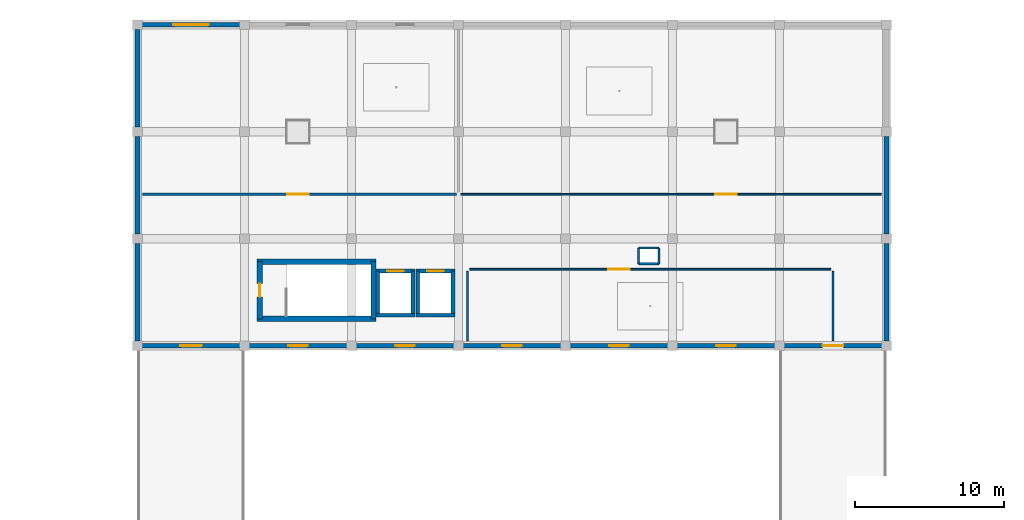
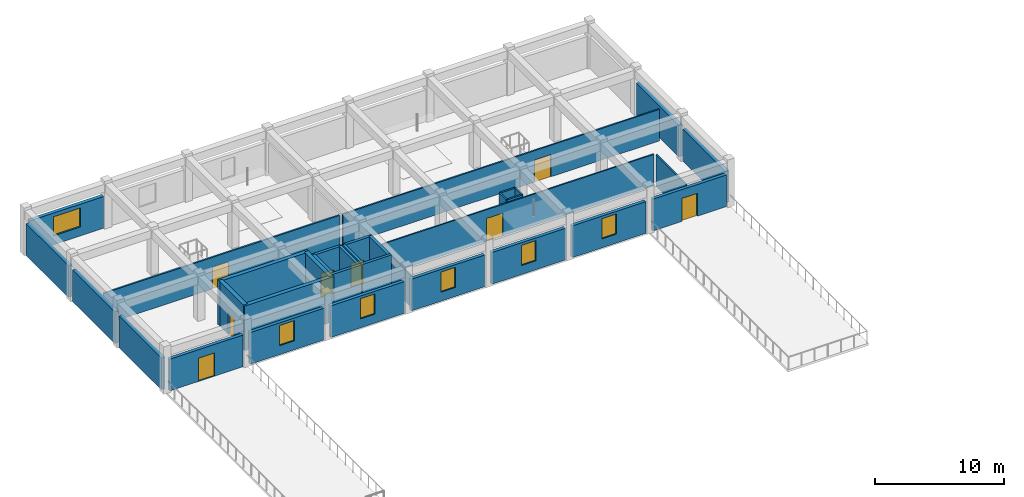
# One storey, part 37 of 56: 34 walls, 8 doors, 6 windows, 14 openings.
"""IFC4 building model written with IfcOpenShell, lengths in metres."""

import ifcopenshell
import ifcopenshell.guid

model = None  # the IFC model being written
_history = None  # IfcOwnerHistory: only IFC2X3 demands one
_inside = {}  # id of a spatial element -> (the spatial element, [elements in it])
_under = {}  # id of a project, library or spatial element -> (it, [spatial elements below it])
_declared = {}  # id of a project -> (the project, [libraries it declares])
_typed = {}  # id of a type object -> (the type object, [elements of that type])
_made_of = {}  # id of a material, layer set ... -> (it, [elements and type objects made of it])


def new_model(schema):
    """Start an empty IFC model of exactly this schema.

    Asked for "IFC4X3", IfcOpenShell would pick the latest addendum, in which some entities
    have other attributes; the version numbers below select the first issue.
    IFC2X3 requires an IfcOwnerHistory on every rooted entity: one is made here for all.
    """
    global model, _history
    if schema == "IFC4X3":
        model = ifcopenshell.file(schema_version=(4, 3, 0, 0))
    else:
        model = ifcopenshell.file(schema=schema)
    _inside.clear()
    _under.clear()
    _declared.clear()
    _typed.clear()
    _made_of.clear()
    _history = None
    if model.schema == "IFC2X3":
        org = make("IfcOrganization", Name="unknown")
        user = make(
            "IfcPersonAndOrganization",
            ThePerson=make("IfcPerson", FamilyName="unknown"),
            TheOrganization=org,
        )
        app = make(
            "IfcApplication",
            ApplicationDeveloper=org,
            Version="unknown",
            ApplicationFullName="unknown",
            ApplicationIdentifier="unknown",
        )
        _history = make(
            "IfcOwnerHistory",
            OwningUser=user,
            OwningApplication=app,
            ChangeAction="ADDED",
            CreationDate=0,
        )
    return model


def make(cls, **values):
    """One entity of the class cls with the attributes given. An attribute that is None is left unset."""
    return model.create_entity(
        cls, **{name: value for name, value in values.items() if value is not None}
    )


def rooted(cls, **values):
    """An entity with a GlobalId (a new one), such as an element, a storey or a relation."""
    return make(cls, GlobalId=ifcopenshell.guid.new(), OwnerHistory=_history, **values)


def si_unit(unit_type, name, prefix=None):
    """IfcSIUnit, for example si_unit("LENGTHUNIT", "METRE", prefix="MILLI")."""
    return make("IfcSIUnit", UnitType=unit_type, Prefix=prefix, Name=name)


def assignment(units):
    """IfcUnitAssignment: the units of a project."""
    return None if units is None else make("IfcUnitAssignment", Units=units)


def point(xyz):
    """IfcCartesianPoint."""
    return None if xyz is None else make("IfcCartesianPoint", Coordinates=xyz)


def direction(xyz):
    """IfcDirection."""
    return None if xyz is None else make("IfcDirection", DirectionRatios=xyz)


def frame(location, z_axis=None, x_axis=None):
    """IfcAxis2Placement3D, a coordinate frame: its origin and axes. An axis left out is left unset."""
    return make(
        "IfcAxis2Placement3D",
        Location=point(location),
        Axis=direction(z_axis),
        RefDirection=direction(x_axis),
    )


def frame_2d(location, x_axis=None):
    """IfcAxis2Placement2D, a coordinate frame in the plane: its origin and x axis."""
    return make(
        "IfcAxis2Placement2D", Location=point(location), RefDirection=direction(x_axis)
    )


def origin():
    """The frame at (0, 0, 0) with its axes left unset."""
    return frame((0.0, 0.0, 0.0))


def place(relative_to, where):
    """IfcLocalPlacement: puts the frame where relative to a parent placement (None: the world)."""
    return make(
        "IfcLocalPlacement", PlacementRelTo=relative_to, RelativePlacement=where
    )


def context(
    kind, dimensions, precision=None, world=None, true_north=None, identifier=None
):
    """IfcGeometricRepresentationContext, for example the 3D "Model" context."""
    return make(
        "IfcGeometricRepresentationContext",
        ContextIdentifier=identifier,
        ContextType=kind,
        CoordinateSpaceDimension=dimensions,
        Precision=precision,
        WorldCoordinateSystem=world,
        TrueNorth=true_north,
    )


def subcontext(parent, identifier, kind, view, scale=None):
    """IfcGeometricRepresentationSubContext, for example "Body" below "Model"."""
    return make(
        "IfcGeometricRepresentationSubContext",
        ContextIdentifier=identifier,
        ContextType=kind,
        ParentContext=parent,
        TargetScale=scale,
        TargetView=view,
    )


def project(units=None, contexts=None):
    """IfcProject with its units and contexts."""
    return rooted(
        "IfcProject",
        Name="project",
        RepresentationContexts=contexts,
        UnitsInContext=assignment(units),
    )


def spatial(cls, under=None, at=None, **own):
    """A site, building, storey or space (cls), placed at a placement, below another one or the project."""
    s = rooted(cls, ObjectPlacement=at, **own)
    if under is not None:
        _under.setdefault(under.id(), (under, []))[1].append(s)
    return s


def profile(cls, at=None, kind="AREA", **sizes):
    """A parametric profile (cls). Its sizes go by their IFC names, for example OverallWidth=200.0."""
    return make(cls, ProfileType=kind, Position=at, **sizes)


def rectangle(**sizes):
    """IfcRectangleProfileDef."""
    return profile("IfcRectangleProfileDef", **sizes)


def extrude(swept, where, along, depth):
    """IfcExtrudedAreaSolid: the profile swept, set in the frame where, extruded along a direction by depth."""
    return make(
        "IfcExtrudedAreaSolid",
        SweptArea=swept,
        Position=where,
        ExtrudedDirection=direction(along),
        Depth=depth,
    )


def shape(context_of_items, identifier, shape_type, items):
    """IfcShapeRepresentation: the items that make up one representation, for example the "Body"."""
    return make(
        "IfcShapeRepresentation",
        ContextOfItems=context_of_items,
        RepresentationIdentifier=identifier,
        RepresentationType=shape_type,
        Items=items,
    )


def material(Name=None, Category=None):
    """IfcMaterial."""
    return make("IfcMaterial", Name=Name, Category=Category)


def layer(
    of_material, thickness, ventilated=None, Name=None, Category=None, Priority=None
):
    """IfcMaterialLayer: one layer of a wall or slab, of a material (None: an air gap)."""
    return make(
        "IfcMaterialLayer",
        Material=of_material,
        LayerThickness=thickness,
        IsVentilated=ventilated,
        Name=Name,
        Category=Category,
        Priority=Priority,
    )


def layer_set(layers, Name=None):
    """IfcMaterialLayerSet."""
    return make("IfcMaterialLayerSet", MaterialLayers=layers, LayerSetName=Name)


def made_of(thing, what):
    """Note that an element or type object is made of a material, layer set ...; save() writes the relation."""
    if what is not None:
        _made_of.setdefault(what.id(), (what, []))[1].append(thing)
    return thing


def type_object(cls, material=None, **own):
    """A type object (cls), such as IfcWallType, which elements share."""
    return made_of(rooted(cls, **own), material)


def element(
    cls,
    number,
    at=None,
    inside=None,
    cuts=None,
    type_object=None,
    material=None,
    context=None,
    identifier="Body",
    shape_type=None,
    held_by="IfcProductDefinitionShape",
    body=None,
    shapes=None,
    **own,
):
    """One element of the class cls, such as IfcWall. Its Tag is "e" and its number.

    at: its placement. inside: the storey or other place that contains it. cuts: it is an
    opening in that element (IfcRelVoidsElement). A single representation is given by context,
    identifier, shape_type and body (its items); several are given by shapes. held_by: the class
    of the entity that holds the representations. save() writes the other relations.
    """
    e = rooted(cls, Tag="e%d" % number, ObjectPlacement=at, **own)
    if body is not None:
        shapes = [shape(context, identifier, shape_type, body)]
    if shapes is not None:
        e.Representation = make(held_by, Representations=shapes)
    if inside is not None:
        _inside.setdefault(inside.id(), (inside, []))[1].append(e)
    if cuts is not None:
        rooted(
            "IfcRelVoidsElement", RelatingBuildingElement=cuts, RelatedOpeningElement=e
        )
    if type_object is not None:
        _typed.setdefault(type_object.id(), (type_object, []))[1].append(e)
    return made_of(e, material)


def fill(opening, filler):
    """IfcRelFillsElement: the door or window that sits in an opening."""
    return rooted(
        "IfcRelFillsElement",
        RelatingOpeningElement=opening,
        RelatedBuildingElement=filler,
    )


def aggregate(whole, parts):
    """IfcRelAggregates: a whole, such as a stair, and the parts it consists of."""
    return rooted("IfcRelAggregates", RelatingObject=whole, RelatedObjects=parts)


def save(model, path):
    """Write the relations noted so far, then the file.

    IfcRelAggregates (storeys below a building ...), IfcRelContainedInSpatialStructure (elements
    in a storey), IfcRelDefinesByType, IfcRelAssociatesMaterial and IfcRelDeclares: one each for
    every whole, place, type object, material and project.
    """
    for whole, parts in _under.values():
        aggregate(whole, parts)
    for where, things in _inside.values():
        rooted(
            "IfcRelContainedInSpatialStructure",
            RelatedElements=things,
            RelatingStructure=where,
        )
    for kind, things in _typed.values():
        rooted("IfcRelDefinesByType", RelatedObjects=things, RelatingType=kind)
    for what, things in _made_of.values():
        rooted("IfcRelAssociatesMaterial", RelatedObjects=things, RelatingMaterial=what)
    for by, libraries in _declared.values():
        rooted("IfcRelDeclares", RelatingContext=by, RelatedDefinitions=libraries)
    model.write(path)


model = new_model("IFC4")

# Units and contexts
model_context = context("Model", 3, precision=1e-05, world=origin(), true_north=direction((0.0, 1.0)))
body_context = subcontext(model_context, "Body", "Model", "MODEL_VIEW")
ifc_project = project(units=[si_unit("LENGTHUNIT", "METRE"), si_unit("AREAUNIT", "SQUARE_METRE"), si_unit("VOLUMEUNIT", "CUBIC_METRE"), si_unit("PLANEANGLEUNIT", "RADIAN"), si_unit("MASSUNIT", "GRAM", prefix="KILO")], contexts=[model_context])

# Site, building, storey
site_placement = place(None, origin())
site = spatial("IfcSite", under=ifc_project, at=site_placement, CompositionType="ELEMENT")
building_placement = place(site_placement, origin())
building = spatial("IfcBuilding", under=site, at=building_placement, Name="Kazehaya Institute of Natural Sciences", CompositionType="ELEMENT")
storey_placement = place(building_placement, frame((0.0, 0.0, 28.800048828125)))
storey = spatial("IfcBuildingStorey", under=building, at=storey_placement, Name="L06", CompositionType="ELEMENT", Elevation=28.800048828125)

# Walls
ifc_material_1 = material(Name="Concrete Fc42", Category="concrete")
ifc_layer_1 = layer(ifc_material_1, 0.35009765625, Name="Concrete Fc42", Category="concrete")
ifc_layer_set_1 = layer_set([ifc_layer_1], Name="Concrete Fc42")
wall_type_1 = type_object("IfcWallType", Name="WL-CORE-350", PredefinedType="SHEAR", material=ifc_layer_set_1)
for number, where, z_axis, x_axis, name in (
    (1, (77.85498046875, 87.820068359375, 0.0), (0.0, 0.0, 1.0), (-1.0, 0.0, 0.0), "L06 ST-3 core wall S"),
    (2, (69.844970703125, 91.659912109375, 0.0), (0.0, 0.0, 1.0), (1.0, 0.0, 0.0), "L06 ST-3 core wall N"),
):
    element("IfcWall", number, at=place(storey_placement, frame(where, z_axis=z_axis, x_axis=x_axis)), inside=storey, type_object=wall_type_1, Name=name, PredefinedType="SHEAR", context=body_context, shape_type="SweptSolid", body=[
        extrude(rectangle(XDim=8.010009765625, YDim=0.35009765625, at=frame_2d((4.0048828125, 0.0))), origin(), (0.0, 0.0, 1.0), 4.22998046875),
    ])

# Wall, opening, door
wall_1_placement = place(storey_placement, frame((70.02001953125, 87.820068359375, 0.0), z_axis=(0.0, 0.0, 1.0), x_axis=(0.0, 1.0, 0.0)))
wall_1 = element("IfcWall", 3, at=wall_1_placement, inside=storey, type_object=wall_type_1, Name="L06 ST-3 core wall W", PredefinedType="SHEAR", context=body_context, shape_type="SweptSolid", body=[
    extrude(rectangle(XDim=3.83984375, YDim=0.35009765625, at=frame_2d((1.919921875, 0.0))), origin(), (0.0, 0.0, 1.0), 4.22998046875),
])
opening_1_placement = place(wall_1_placement, frame((1.469970703125, 0.0, 0.0)))
opening_1 = element("IfcOpeningElement", 4, at=opening_1_placement, cuts=wall_1, Name="Opening D-ST-030", PredefinedType="OPENING", context=body_context, shape_type="SweptSolid", body=[
    extrude(rectangle(XDim=0.89990234375, YDim=2.06005859375, at=frame_2d((0.449951171875, 1.030029296875))), frame((0.0, 0.18505859375, 0.0), z_axis=(0.0, -1.0, 0.0), x_axis=(1.0, 0.0, 0.0)), (0.0, 0.0, 1.0), 0.3701171875),
])
ifc_material_2 = material(Name="Fire-rated steel acoustic door", Category="steel")
door_type_1 = type_object("IfcDoorType", Name="DT-FD-01", OperationType="NOTDEFINED", PredefinedType="DOOR", material=ifc_material_2)
door_1_placement = place(opening_1_placement, origin())
door_1 = element("IfcDoor", 5, at=door_1_placement, inside=storey, type_object=door_type_1, Name="L06 ST-3 stair enclosure door D-ST-030", OperationType="SINGLE_SWING_RIGHT", OverallHeight=2.06005859375, OverallWidth=0.89990234375, PredefinedType="DOOR", context=body_context, shape_type="SweptSolid", body=[
    extrude(rectangle(XDim=0.89990234375, YDim=2.06005859375, at=frame_2d((0.449951171875, 1.030029296875))), frame((0.0, 0.02490234375, 0.0), z_axis=(0.0, -1.0, 0.0), x_axis=(1.0, 0.0, 0.0)), (0.0, 0.0, 1.0), 0.050048828125),
])
fill(opening_1, door_1)

# Wall
wall_2_placement = place(storey_placement, frame((77.679931640625, 91.659912109375, 0.0), z_axis=(0.0, 0.0, 1.0), x_axis=(0.0, -1.0, 0.0)))
element("IfcWall", 6, at=wall_2_placement, inside=storey, type_object=wall_type_1, Name="L06 ST-3 core wall E", PredefinedType="SHEAR", context=body_context, shape_type="SweptSolid", body=[
    extrude(rectangle(XDim=3.83984375, YDim=0.35009765625, at=frame_2d((1.919921875, 0.0))), origin(), (0.0, 0.0, 1.0), 4.22998046875),
])

# Wall, opening, door
ifc_material_3 = material(Name="Precast concrete Fc36", Category="concrete")
ifc_layer_2 = layer(ifc_material_3, 0.2900390625, Name="Precast concrete Fc36", Category="concrete")
ifc_layer_set_2 = layer_set([ifc_layer_2], Name="Precast concrete Fc36")
wall_type_2 = type_object("IfcWallType", Name="WL-EXT-290", PredefinedType="SOLIDWALL", material=ifc_layer_set_2)
wall_3_placement = place(storey_placement, frame((111.889892578125, 86.0, 0.0), z_axis=(0.0, 0.0, 1.0), x_axis=(-1.0, 0.0, 0.0)))
wall_3 = element("IfcWall", 7, at=wall_3_placement, inside=storey, type_object=wall_type_2, Name="L06 exterior wall EW-L06-0344", PredefinedType="SOLIDWALL", context=body_context, shape_type="SweptSolid", body=[
    extrude(rectangle(XDim=6.579833984375, YDim=0.2900390625, at=frame_2d((3.2900390625, 0.0))), origin(), (0.0, 0.0, 1.0), 3.0),
])
opening_2_placement = place(wall_3_placement, frame((2.590087890625, 0.0, 0.0)))
opening_2 = element("IfcOpeningElement", 8, at=opening_2_placement, cuts=wall_3, Name="Opening D-TER-L06E", PredefinedType="OPENING", context=body_context, shape_type="SweptSolid", body=[
    extrude(rectangle(XDim=1.39990234375, YDim=2.179931640625, at=frame_2d((0.699951171875, 1.08984375))), frame((0.0, 0.155029296875, 0.0), z_axis=(0.0, -1.0, 0.0), x_axis=(1.0, 0.0, 0.0)), (0.0, 0.0, 1.0), 0.31005859375),
])
ifc_material_4 = material(Name="Insulated bronze-clad steel door", Category="steel")
door_type_2 = type_object("IfcDoorType", Name="DT-TER-1400x2180", OperationType="DOUBLE_DOOR_SINGLE_SWING", PredefinedType="DOOR", material=ifc_material_4)
door_2_placement = place(opening_2_placement, origin())
door_2 = element("IfcDoor", 9, at=door_2_placement, inside=storey, type_object=door_type_2, Name="L06 exterior door D-TER-L06E", OperationType="DOUBLE_DOOR_SINGLE_SWING", OverallHeight=2.179931640625, OverallWidth=1.39990234375, PredefinedType="DOOR", context=body_context, shape_type="SweptSolid", body=[
    extrude(rectangle(XDim=1.39990234375, YDim=2.179931640625, at=frame_2d((0.699951171875, 1.08984375))), frame((0.0, 0.02490234375, 0.0), z_axis=(0.0, -1.0, 0.0), x_axis=(1.0, 0.0, 0.0)), (0.0, 0.0, 1.0), 0.050048828125),
])
fill(opening_2, door_2)

# Wall, opening, window
wall_4_placement = place(storey_placement, frame((104.68994140625, 86.0, 0.0), z_axis=(0.0, 0.0, 1.0), x_axis=(-1.0, 0.0, 0.0)))
wall_4 = element("IfcWall", 10, at=wall_4_placement, inside=storey, type_object=wall_type_2, Name="L06 exterior wall EW-L06-0345", PredefinedType="SOLIDWALL", context=body_context, shape_type="SweptSolid", body=[
    extrude(rectangle(XDim=6.579833984375, YDim=0.2900390625, at=frame_2d((3.2900390625, 0.0))), origin(), (0.0, 0.0, 1.0), 3.0),
])
opening_3_placement = place(wall_4_placement, frame((2.639892578125, 0.0, 0.85009765625)))
opening_3 = element("IfcOpeningElement", 11, at=opening_3_placement, cuts=wall_4, Name="Opening W26", PredefinedType="OPENING", context=body_context, shape_type="SweptSolid", body=[
    extrude(rectangle(XDim=1.300048828125, YDim=1.89990234375, at=frame_2d((0.64990234375, 0.949951171875))), frame((0.0, 0.155029296875, 0.0), z_axis=(0.0, -1.0, 0.0), x_axis=(1.0, 0.0, 0.0)), (0.0, 0.0, 1.0), 0.31005859375),
])
ifc_material_5 = material(Name="Low-E double-glazed aluminium window", Category="aluminium")
window_type_1 = type_object("IfcWindowType", Name="WN-26", PartitioningType="SINGLE_PANEL", PredefinedType="WINDOW", material=ifc_material_5)
window_1_placement = place(opening_3_placement, origin())
window_1 = element("IfcWindow", 12, at=window_1_placement, inside=storey, type_object=window_type_1, Name="L06 facade window 0208", OverallHeight=1.89990234375, OverallWidth=1.300048828125, PartitioningType="SINGLE_PANEL", PredefinedType="WINDOW", context=body_context, shape_type="SweptSolid", body=[
    extrude(rectangle(XDim=1.300048828125, YDim=1.89990234375, at=frame_2d((0.64990234375, 0.949951171875))), frame((0.0, 0.030029296875, 0.0), z_axis=(0.0, -1.0, 0.0), x_axis=(1.0, 0.0, 0.0)), (0.0, 0.0, 1.0), 0.06005859375),
])
fill(opening_3, window_1)

wall_5_placement = place(storey_placement, frame((97.489990234375, 86.0, 0.0), z_axis=(0.0, 0.0, 1.0), x_axis=(-1.0, 0.0, 0.0)))
wall_5 = element("IfcWall", 13, at=wall_5_placement, inside=storey, type_object=wall_type_2, Name="L06 exterior wall EW-L06-0346", PredefinedType="SOLIDWALL", context=body_context, shape_type="SweptSolid", body=[
    extrude(rectangle(XDim=6.580078125, YDim=0.2900390625, at=frame_2d((3.2900390625, 0.0))), origin(), (0.0, 0.0, 1.0), 3.0),
])
opening_4_placement = place(wall_5_placement, frame((2.639892578125, 0.0, 0.85009765625)))
opening_4 = element("IfcOpeningElement", 14, at=opening_4_placement, cuts=wall_5, Name="Opening W26", PredefinedType="OPENING", context=body_context, shape_type="SweptSolid", body=[
    extrude(rectangle(XDim=1.300048828125, YDim=1.89990234375, at=frame_2d((0.64990234375, 0.949951171875))), frame((0.0, 0.155029296875, 0.0), z_axis=(0.0, -1.0, 0.0), x_axis=(1.0, 0.0, 0.0)), (0.0, 0.0, 1.0), 0.31005859375),
])
window_2_placement = place(opening_4_placement, origin())
window_2 = element("IfcWindow", 15, at=window_2_placement, inside=storey, type_object=window_type_1, Name="L06 facade window 0209", OverallHeight=1.89990234375, OverallWidth=1.300048828125, PartitioningType="SINGLE_PANEL", PredefinedType="WINDOW", context=body_context, shape_type="SweptSolid", body=[
    extrude(rectangle(XDim=1.300048828125, YDim=1.89990234375, at=frame_2d((0.64990234375, 0.949951171875))), frame((0.0, 0.030029296875, 0.0), z_axis=(0.0, -1.0, 0.0), x_axis=(1.0, 0.0, 0.0)), (0.0, 0.0, 1.0), 0.06005859375),
])
fill(opening_4, window_2)

wall_6_placement = place(storey_placement, frame((90.2900390625, 86.0, 0.0), z_axis=(0.0, 0.0, 1.0), x_axis=(-1.0, 0.0, 0.0)))
wall_6 = element("IfcWall", 16, at=wall_6_placement, inside=storey, type_object=wall_type_2, Name="L06 exterior wall EW-L06-0347", PredefinedType="SOLIDWALL", context=body_context, shape_type="SweptSolid", body=[
    extrude(rectangle(XDim=6.580078125, YDim=0.2900390625, at=frame_2d((3.2900390625, 0.0))), origin(), (0.0, 0.0, 1.0), 3.0),
])
opening_5_placement = place(wall_6_placement, frame((2.639892578125, 0.0, 0.85009765625)))
opening_5 = element("IfcOpeningElement", 17, at=opening_5_placement, cuts=wall_6, Name="Opening W26", PredefinedType="OPENING", context=body_context, shape_type="SweptSolid", body=[
    extrude(rectangle(XDim=1.300048828125, YDim=1.89990234375, at=frame_2d((0.64990234375, 0.949951171875))), frame((0.0, 0.155029296875, 0.0), z_axis=(0.0, -1.0, 0.0), x_axis=(1.0, 0.0, 0.0)), (0.0, 0.0, 1.0), 0.31005859375),
])
window_3_placement = place(opening_5_placement, origin())
window_3 = element("IfcWindow", 18, at=window_3_placement, inside=storey, type_object=window_type_1, Name="L06 facade window 0210", OverallHeight=1.89990234375, OverallWidth=1.300048828125, PartitioningType="SINGLE_PANEL", PredefinedType="WINDOW", context=body_context, shape_type="SweptSolid", body=[
    extrude(rectangle(XDim=1.300048828125, YDim=1.89990234375, at=frame_2d((0.64990234375, 0.949951171875))), frame((0.0, 0.030029296875, 0.0), z_axis=(0.0, -1.0, 0.0), x_axis=(1.0, 0.0, 0.0)), (0.0, 0.0, 1.0), 0.06005859375),
])
fill(opening_5, window_3)

wall_7_placement = place(storey_placement, frame((83.090087890625, 86.0, 0.0), z_axis=(0.0, 0.0, 1.0), x_axis=(-1.0, 0.0, 0.0)))
wall_7 = element("IfcWall", 19, at=wall_7_placement, inside=storey, type_object=wall_type_2, Name="L06 exterior wall EW-L06-0348", PredefinedType="SOLIDWALL", context=body_context, shape_type="SweptSolid", body=[
    extrude(rectangle(XDim=6.580078125, YDim=0.2900390625, at=frame_2d((3.2900390625, 0.0))), origin(), (0.0, 0.0, 1.0), 3.0),
])
opening_6_placement = place(wall_7_placement, frame((2.639892578125, 0.0, 0.85009765625)))
opening_6 = element("IfcOpeningElement", 20, at=opening_6_placement, cuts=wall_7, Name="Opening W26", PredefinedType="OPENING", context=body_context, shape_type="SweptSolid", body=[
    extrude(rectangle(XDim=1.300048828125, YDim=1.89990234375, at=frame_2d((0.64990234375, 0.949951171875))), frame((0.0, 0.155029296875, 0.0), z_axis=(0.0, -1.0, 0.0), x_axis=(1.0, 0.0, 0.0)), (0.0, 0.0, 1.0), 0.31005859375),
])
window_4_placement = place(opening_6_placement, origin())
window_4 = element("IfcWindow", 21, at=window_4_placement, inside=storey, type_object=window_type_1, Name="L06 facade window 0211", OverallHeight=1.89990234375, OverallWidth=1.300048828125, PartitioningType="SINGLE_PANEL", PredefinedType="WINDOW", context=body_context, shape_type="SweptSolid", body=[
    extrude(rectangle(XDim=1.300048828125, YDim=1.89990234375, at=frame_2d((0.64990234375, 0.949951171875))), frame((0.0, 0.030029296875, 0.0), z_axis=(0.0, -1.0, 0.0), x_axis=(1.0, 0.0, 0.0)), (0.0, 0.0, 1.0), 0.06005859375),
])
fill(opening_6, window_4)

wall_8_placement = place(storey_placement, frame((75.889892578125, 86.0, 0.0), z_axis=(0.0, 0.0, 1.0), x_axis=(-1.0, 0.0, 0.0)))
wall_8 = element("IfcWall", 22, at=wall_8_placement, inside=storey, type_object=wall_type_2, Name="L06 exterior wall EW-L06-0349", PredefinedType="SOLIDWALL", context=body_context, shape_type="SweptSolid", body=[
    extrude(rectangle(XDim=6.579833984375, YDim=0.2900390625, at=frame_2d((3.2900390625, 0.0))), origin(), (0.0, 0.0, 1.0), 3.0),
])
opening_7_placement = place(wall_8_placement, frame((2.639892578125, 0.0, 0.85009765625)))
opening_7 = element("IfcOpeningElement", 23, at=opening_7_placement, cuts=wall_8, Name="Opening W26", PredefinedType="OPENING", context=body_context, shape_type="SweptSolid", body=[
    extrude(rectangle(XDim=1.300048828125, YDim=1.89990234375, at=frame_2d((0.64990234375, 0.949951171875))), frame((0.0, 0.155029296875, 0.0), z_axis=(0.0, -1.0, 0.0), x_axis=(1.0, 0.0, 0.0)), (0.0, 0.0, 1.0), 0.31005859375),
])
window_5_placement = place(opening_7_placement, origin())
window_5 = element("IfcWindow", 24, at=window_5_placement, inside=storey, type_object=window_type_1, Name="L06 facade window 0212", OverallHeight=1.89990234375, OverallWidth=1.300048828125, PartitioningType="SINGLE_PANEL", PredefinedType="WINDOW", context=body_context, shape_type="SweptSolid", body=[
    extrude(rectangle(XDim=1.300048828125, YDim=1.89990234375, at=frame_2d((0.64990234375, 0.949951171875))), frame((0.0, 0.030029296875, 0.0), z_axis=(0.0, -1.0, 0.0), x_axis=(1.0, 0.0, 0.0)), (0.0, 0.0, 1.0), 0.06005859375),
])
fill(opening_7, window_5)

# Wall, opening, door
wall_9_placement = place(storey_placement, frame((68.68994140625, 86.0, 0.0), z_axis=(0.0, 0.0, 1.0), x_axis=(-1.0, 0.0, 0.0)))
wall_9 = element("IfcWall", 25, at=wall_9_placement, inside=storey, type_object=wall_type_2, Name="L06 exterior wall EW-L06-0350", PredefinedType="SOLIDWALL", context=body_context, shape_type="SweptSolid", body=[
    extrude(rectangle(XDim=6.579833984375, YDim=0.2900390625, at=frame_2d((3.2900390625, 0.0))), origin(), (0.0, 0.0, 1.0), 3.0),
])
opening_8_placement = place(wall_9_placement, frame((2.56494140625, 0.0, 0.0)))
opening_8 = element("IfcOpeningElement", 26, at=opening_8_placement, cuts=wall_9, Name="Opening D-TER-L06W", PredefinedType="OPENING", context=body_context, shape_type="SweptSolid", body=[
    extrude(rectangle(XDim=1.449951171875, YDim=2.199951171875, at=frame_2d((0.72509765625, 1.10009765625))), frame((0.0, 0.155029296875, 0.0), z_axis=(0.0, -1.0, 0.0), x_axis=(1.0, 0.0, 0.0)), (0.0, 0.0, 1.0), 0.31005859375),
])
door_type_3 = type_object("IfcDoorType", Name="DT-TER-1450x2200", OperationType="DOUBLE_DOOR_SINGLE_SWING", PredefinedType="DOOR", material=ifc_material_4)
door_3_placement = place(opening_8_placement, origin())
door_3 = element("IfcDoor", 27, at=door_3_placement, inside=storey, type_object=door_type_3, Name="L06 exterior door D-TER-L06W", OperationType="DOUBLE_DOOR_SINGLE_SWING", OverallHeight=2.199951171875, OverallWidth=1.449951171875, PredefinedType="DOOR", context=body_context, shape_type="SweptSolid", body=[
    extrude(rectangle(XDim=1.449951171875, YDim=2.199951171875, at=frame_2d((0.72509765625, 1.10009765625))), frame((0.0, 0.02490234375, 0.0), z_axis=(0.0, -1.0, 0.0), x_axis=(1.0, 0.0, 0.0)), (0.0, 0.0, 1.0), 0.050048828125),
])
fill(opening_8, door_3)

# Walls
ifc_layer_3 = layer(ifc_material_3, 0.320068359375, Name="Precast concrete Fc36", Category="concrete")
ifc_layer_set_3 = layer_set([ifc_layer_3], Name="Precast concrete Fc36")
wall_type_3 = type_object("IfcWallType", Name="WL-EXT-320", PredefinedType="SOLIDWALL", material=ifc_layer_set_3)
for number, where, z_axis, x_axis, name in (
    (28, (61.800048828125, 86.31005859375, 0.0), (0.0, 0.0, 1.0), (0.0, 1.0, 0.0), "L06 exterior wall EW-L06-0331"),
    (29, (112.199951171875, 92.889892578125, 0.0), (0.0, 0.0, 1.0), (0.0, -1.0, 0.0), "L06 exterior wall EW-L06-0332"),
):
    element("IfcWall", number, at=place(storey_placement, frame(where, z_axis=z_axis, x_axis=x_axis)), inside=storey, type_object=wall_type_3, Name=name, PredefinedType="SOLIDWALL", context=body_context, shape_type="SweptSolid", body=[
        extrude(rectangle(XDim=6.579833984375, YDim=0.320068359375, at=frame_2d((3.2900390625, 0.0))), origin(), (0.0, 0.0, 1.0), 3.0),
    ])
for number, where, z_axis, x_axis, name in (
    (30, (61.800048828125, 93.510009765625, 0.0), (0.0, 0.0, 1.0), (0.0, 1.0, 0.0), "L06 exterior wall EW-L06-0333"),
    (31, (112.199951171875, 100.090087890625, 0.0), (0.0, 0.0, 1.0), (0.0, -1.0, 0.0), "L06 exterior wall EW-L06-0334"),
    (32, (61.800048828125, 100.7099609375, 0.0), (0.0, 0.0, 1.0), (0.0, 1.0, 0.0), "L06 exterior wall EW-L06-0335"),
):
    element("IfcWall", number, at=place(storey_placement, frame(where, z_axis=z_axis, x_axis=x_axis)), inside=storey, type_object=wall_type_3, Name=name, PredefinedType="SOLIDWALL", context=body_context, shape_type="SweptSolid", body=[
        extrude(rectangle(XDim=6.580078125, YDim=0.320068359375, at=frame_2d((3.2900390625, 0.0))), origin(), (0.0, 0.0, 1.0), 3.0),
    ])

# Wall, opening, window
wall_10_placement = place(storey_placement, frame((62.110107421875, 107.60009765625, 0.0), z_axis=(0.0, 0.0, 1.0), x_axis=(1.0, 0.0, 0.0)))
wall_10 = element("IfcWall", 33, at=wall_10_placement, inside=storey, type_object=wall_type_3, Name="L06 exterior wall EW-L06-0337", PredefinedType="SOLIDWALL", context=body_context, shape_type="SweptSolid", body=[
    extrude(rectangle(XDim=6.579833984375, YDim=0.320068359375, at=frame_2d((3.2900390625, 0.0))), origin(), (0.0, 0.0, 1.0), 3.0),
])
opening_9_placement = place(wall_10_placement, frame((2.090087890625, 0.0, 0.85009765625)))
opening_9 = element("IfcOpeningElement", 34, at=opening_9_placement, cuts=wall_10, Name="Opening W13", PredefinedType="OPENING", context=body_context, shape_type="SweptSolid", body=[
    extrude(rectangle(XDim=2.39990234375, YDim=1.800048828125, at=frame_2d((1.199951171875, 0.89990234375))), frame((0.0, 0.169921875, 0.0), z_axis=(0.0, -1.0, 0.0), x_axis=(1.0, 0.0, 0.0)), (0.0, 0.0, 1.0), 0.340087890625),
])
window_type_2 = type_object("IfcWindowType", Name="WN-13", PartitioningType="DOUBLE_PANEL_VERTICAL", PredefinedType="WINDOW", material=ifc_material_5)
window_6_placement = place(opening_9_placement, origin())
window_6 = element("IfcWindow", 35, at=window_6_placement, inside=storey, type_object=window_type_2, Name="L06 facade window 0205", OverallHeight=1.800048828125, OverallWidth=2.39990234375, PartitioningType="DOUBLE_PANEL_VERTICAL", PredefinedType="WINDOW", context=body_context, shape_type="SweptSolid", body=[
    extrude(rectangle(XDim=2.39990234375, YDim=1.800048828125, at=frame_2d((1.199951171875, 0.89990234375))), frame((0.0, 0.030029296875, 0.0), z_axis=(0.0, -1.0, 0.0), x_axis=(1.0, 0.0, 0.0)), (0.0, 0.0, 1.0), 0.06005859375),
])
fill(opening_9, window_6)

# Wall, opening, door
ifc_material_6 = material(Name="Gypsum write-up office partition", Category="gypsum")
ifc_layer_4 = layer(ifc_material_6, 0.1201171875, Name="Gypsum write-up office partition", Category="gypsum")
ifc_layer_set_4 = layer_set([ifc_layer_4], Name="Gypsum write-up office partition")
wall_type_4 = type_object("IfcWallType", Name="WL-PART-120", PredefinedType="PARTITIONING", material=ifc_layer_set_4)
wall_11_placement = place(storey_placement, frame((84.14990234375, 91.14990234375, 0.0), z_axis=(0.0, 0.0, 1.0), x_axis=(1.0, 0.0, 0.0)))
wall_11 = element("IfcWall", 36, at=wall_11_placement, inside=storey, type_object=wall_type_4, Name="L06 Researcher Write-up Office partition IW-L06-0322", PredefinedType="PARTITIONING", context=body_context, shape_type="SweptSolid", body=[
    extrude(rectangle(XDim=24.300048828125, YDim=0.1201171875, at=frame_2d((12.14990234375, 0.0))), origin(), (0.0, 0.0, 1.0), 2.97998046875),
])
opening_10_placement = place(wall_11_placement, frame((9.330078125, 0.0, 0.0)))
opening_10 = element("IfcOpeningElement", 37, at=opening_10_placement, cuts=wall_11, Name="Opening D-L06-0183", PredefinedType="OPENING", context=body_context, shape_type="SweptSolid", body=[
    extrude(rectangle(XDim=1.43994140625, YDim=2.159912109375, at=frame_2d((0.719970703125, 1.080078125))), frame((0.0, 0.070068359375, 0.0), z_axis=(0.0, -1.0, 0.0), x_axis=(1.0, 0.0, 0.0)), (0.0, 0.0, 1.0), 0.14013671875),
])
ifc_material_7 = material(Name="Flush timber and aluminium laboratory door", Category="wood")
door_type_4 = type_object("IfcDoorType", Name="DT-INT-55", OperationType="DOUBLE_DOOR_SINGLE_SWING", PredefinedType="DOOR", material=ifc_material_7)
door_4_placement = place(opening_10_placement, origin())
door_4 = element("IfcDoor", 38, at=door_4_placement, inside=storey, type_object=door_type_4, Name="L06 Researcher Write-up Office door D-L06-0183", OperationType="DOUBLE_DOOR_SINGLE_SWING", OverallHeight=2.159912109375, OverallWidth=1.43994140625, PredefinedType="DOOR", context=body_context, shape_type="SweptSolid", body=[
    extrude(rectangle(XDim=1.43994140625, YDim=2.159912109375, at=frame_2d((0.719970703125, 1.080078125))), frame((0.0, 0.02490234375, 0.0), z_axis=(0.0, -1.0, 0.0), x_axis=(1.0, 0.0, 0.0)), (0.0, 0.0, 1.0), 0.050048828125),
])
fill(opening_10, door_4)

# Walls
for number, where, z_axis, x_axis, name in (
    (39, (84.0, 86.35009765625, 0.0), (0.0, 0.0, 1.0), (0.0, 1.0, 0.0), "L06 Researcher Write-up Office partition IW-L06-0323"),
    (40, (108.60009765625, 91.0, 0.0), (0.0, 0.0, 1.0), (0.0, -1.0, 0.0), "L06 Researcher Write-up Office partition IW-L06-0324"),
):
    element("IfcWall", number, at=place(storey_placement, frame(where, z_axis=z_axis, x_axis=x_axis)), inside=storey, type_object=wall_type_4, Name=name, PredefinedType="PARTITIONING", context=body_context, shape_type="SweptSolid", body=[
        extrude(rectangle(XDim=4.64990234375, YDim=0.1201171875, at=frame_2d((2.324951171875, 0.0))), origin(), (0.0, 0.0, 1.0), 2.97998046875),
    ])

# Wall, opening, door
ifc_material_8 = material(Name="Moisture-resistant WC partition")
ifc_layer_5 = layer(ifc_material_8, 0.1298828125, Name="Moisture-resistant WC partition")
ifc_layer_set_5 = layer_set([ifc_layer_5], Name="Moisture-resistant WC partition")
wall_type_5 = type_object("IfcWallType", Name="WL-PART-130", PredefinedType="PARTITIONING", material=ifc_layer_set_5)
wall_12_placement = place(storey_placement, frame((111.85009765625, 96.199951171875, 0.0), z_axis=(0.0, 0.0, 1.0), x_axis=(-1.0, 0.0, 0.0)))
wall_12 = element("IfcWall", 41, at=wall_12_placement, inside=storey, type_object=wall_type_5, Name="L06 Dry Computational Laboratory partition IW-L06-0321", PredefinedType="PARTITIONING", context=body_context, shape_type="SweptSolid", body=[
    extrude(rectangle(XDim=28.300048828125, YDim=0.1298828125, at=frame_2d((14.14990234375, 0.0))), origin(), (0.0, 0.0, 1.0), 2.97998046875),
])
opening_11_placement = place(wall_12_placement, frame((9.72998046875, 0.0, 0.0)))
opening_11 = element("IfcOpeningElement", 42, at=opening_11_placement, cuts=wall_12, Name="Opening D-L06-0182", PredefinedType="OPENING", context=body_context, shape_type="SweptSolid", body=[
    extrude(rectangle(XDim=1.43994140625, YDim=2.10009765625, at=frame_2d((0.719970703125, 1.050048828125))), frame((0.0, 0.074951171875, 0.0), z_axis=(0.0, -1.0, 0.0), x_axis=(1.0, 0.0, 0.0)), (0.0, 0.0, 1.0), 0.14990234375),
])
door_type_5 = type_object("IfcDoorType", Name="DT-INT-54", OperationType="DOUBLE_DOOR_SINGLE_SWING", PredefinedType="DOOR", material=ifc_material_7)
door_5_placement = place(opening_11_placement, origin())
door_5 = element("IfcDoor", 43, at=door_5_placement, inside=storey, type_object=door_type_5, Name="L06 Dry Computational Laboratory door D-L06-0182", OperationType="DOUBLE_DOOR_SINGLE_SWING", OverallHeight=2.10009765625, OverallWidth=1.43994140625, PredefinedType="DOOR", context=body_context, shape_type="SweptSolid", body=[
    extrude(rectangle(XDim=1.43994140625, YDim=2.10009765625, at=frame_2d((0.719970703125, 1.050048828125))), frame((0.0, 0.02490234375, 0.0), z_axis=(0.0, -1.0, 0.0), x_axis=(1.0, 0.0, 0.0)), (0.0, 0.0, 1.0), 0.050048828125),
])
fill(opening_11, door_5)

ifc_material_9 = material(Name="Gypsum partition", Category="gypsum")
ifc_layer_6 = layer(ifc_material_9, 0.139892578125, Name="Gypsum partition", Category="gypsum")
ifc_layer_set_6 = layer_set([ifc_layer_6], Name="Gypsum partition")
wall_type_6 = type_object("IfcWallType", Name="WL-PART-140", PredefinedType="PARTITIONING", material=ifc_layer_set_6)
wall_13_placement = place(storey_placement, frame((83.25, 96.199951171875, 0.0), z_axis=(0.0, 0.0, 1.0), x_axis=(-1.0, 0.0, 0.0)))
wall_13 = element("IfcWall", 44, at=wall_13_placement, inside=storey, type_object=wall_type_6, Name="L06 Clean Analytical Suite partition IW-L06-0319", PredefinedType="PARTITIONING", context=body_context, shape_type="SweptSolid", body=[
    extrude(rectangle(XDim=21.10009765625, YDim=0.139892578125, at=frame_2d((10.550048828125, 0.0))), origin(), (0.0, 0.0, 1.0), 2.97998046875),
])
opening_12_placement = place(wall_13_placement, frame((9.929931640625, 0.0, 0.0)))
opening_12 = element("IfcOpeningElement", 45, at=opening_12_placement, cuts=wall_13, Name="Opening D-L06-0181", PredefinedType="OPENING", context=body_context, shape_type="SweptSolid", body=[
    extrude(rectangle(XDim=1.43994140625, YDim=2.050048828125, at=frame_2d((0.719970703125, 1.02490234375))), frame((0.0, 0.079833984375, 0.0), z_axis=(0.0, -1.0, 0.0), x_axis=(1.0, 0.0, 0.0)), (0.0, 0.0, 1.0), 0.159912109375),
])
door_type_6 = type_object("IfcDoorType", Name="DT-INT-53", OperationType="DOUBLE_DOOR_SINGLE_SWING", PredefinedType="DOOR", material=ifc_material_7)
door_6_placement = place(opening_12_placement, origin())
door_6 = element("IfcDoor", 46, at=door_6_placement, inside=storey, type_object=door_type_6, Name="L06 Clean Analytical Suite door D-L06-0181", OperationType="DOUBLE_DOOR_SINGLE_SWING", OverallHeight=2.050048828125, OverallWidth=1.43994140625, PredefinedType="DOOR", context=body_context, shape_type="SweptSolid", body=[
    extrude(rectangle(XDim=1.43994140625, YDim=2.050048828125, at=frame_2d((0.719970703125, 1.02490234375))), frame((0.0, 0.02490234375, 0.0), z_axis=(0.0, -1.0, 0.0), x_axis=(1.0, 0.0, 0.0)), (0.0, 0.0, 1.0), 0.050048828125),
])
fill(opening_12, door_6)

# Walls
ifc_material_10 = material(Name="Concrete Fc36", Category="concrete")
ifc_layer_7 = layer(ifc_material_10, 0.14990234375, Name="Concrete Fc36", Category="concrete")
ifc_layer_set_7 = layer_set([ifc_layer_7], Name="Concrete Fc36")
wall_type_7 = type_object("IfcWallType", Name="WL-RISER-150", PredefinedType="PARTITIONING", material=ifc_layer_set_7)
for number, where, z_axis, x_axis, name in (
    (47, (96.885009765625, 91.514892578125, 0.0), (0.0, 0.0, 1.0), (-1.0, 0.0, 0.0), "L06 fume exhaust riser shaft wall 44"),
    (48, (95.514892578125, 92.5849609375, 0.0), (0.0, 0.0, 1.0), (1.0, 0.0, 0.0), "L06 fume exhaust riser shaft wall 44"),
):
    element("IfcWall", number, at=place(storey_placement, frame(where, z_axis=z_axis, x_axis=x_axis)), inside=storey, type_object=wall_type_7, Name=name, PredefinedType="PARTITIONING", context=body_context, shape_type="SweptSolid", body=[
        extrude(rectangle(XDim=1.3701171875, YDim=0.14990234375, at=frame_2d((0.68505859375, 0.0))), origin(), (0.0, 0.0, 1.0), 2.97998046875),
    ])
for number, where, z_axis, x_axis, name in (
    (49, (95.514892578125, 91.514892578125, 0.0), (0.0, 0.0, 1.0), (0.0, 1.0, 0.0), "L06 fume exhaust riser shaft wall 44"),
    (50, (96.885009765625, 92.5849609375, 0.0), (0.0, 0.0, 1.0), (0.0, -1.0, 0.0), "L06 fume exhaust riser shaft wall 44"),
):
    element("IfcWall", number, at=place(storey_placement, frame(where, z_axis=z_axis, x_axis=x_axis)), inside=storey, type_object=wall_type_7, Name=name, PredefinedType="PARTITIONING", context=body_context, shape_type="SweptSolid", body=[
        extrude(rectangle(XDim=1.070068359375, YDim=0.14990234375, at=frame_2d((0.53515625, 0.0))), origin(), (0.0, 0.0, 1.0), 2.97998046875),
    ])
ifc_layer_8 = layer(ifc_material_1, 0.25, Name="Concrete Fc42", Category="concrete")
ifc_layer_set_8 = layer_set([ifc_layer_8], Name="Concrete Fc42")
wall_type_8 = type_object("IfcWallType", Name="WL-SHAFT-250", PredefinedType="SHEAR", material=ifc_layer_set_8)
wall_14_placement = place(storey_placement, frame((80.4599609375, 88.06494140625, 0.0), z_axis=(0.0, 0.0, 1.0), x_axis=(-1.0, 0.0, 0.0)))
element("IfcWall", 51, at=wall_14_placement, inside=storey, type_object=wall_type_8, Name="L06 EL04 lift shaft wall south", PredefinedType="SHEAR", context=body_context, shape_type="SweptSolid", body=[
    extrude(rectangle(XDim=2.619873046875, YDim=0.25, at=frame_2d((1.31005859375, 0.0))), origin(), (0.0, 0.0, 1.0), 4.22998046875),
])

# Wall, opening, door
wall_15_placement = place(storey_placement, frame((77.840087890625, 91.034912109375, 0.0), z_axis=(0.0, 0.0, 1.0), x_axis=(1.0, 0.0, 0.0)))
wall_15 = element("IfcWall", 52, at=wall_15_placement, inside=storey, type_object=wall_type_8, Name="L06 EL04 lift shaft wall north", PredefinedType="SHEAR", context=body_context, shape_type="SweptSolid", body=[
    extrude(rectangle(XDim=2.619873046875, YDim=0.25, at=frame_2d((1.31005859375, 0.0))), origin(), (0.0, 0.0, 1.0), 4.22998046875),
])
opening_13_placement = place(wall_15_placement, frame((0.760009765625, 0.0, 0.0)))
opening_13 = element("IfcOpeningElement", 53, at=opening_13_placement, cuts=wall_15, Name="Opening LD-63", PredefinedType="OPENING", context=body_context, shape_type="SweptSolid", body=[
    extrude(rectangle(XDim=1.10009765625, YDim=2.199951171875, at=frame_2d((0.550048828125, 1.10009765625))), frame((0.0, 0.135009765625, 0.0), z_axis=(0.0, -1.0, 0.0), x_axis=(1.0, 0.0, 0.0)), (0.0, 0.0, 1.0), 0.27001953125),
])
ifc_material_11 = material(Name="Stainless-steel sliding landing door", Category="steel")
door_type_7 = type_object("IfcDoorType", Name="DT-LD-1100x2200", OperationType="SLIDING_TO_LEFT", PredefinedType="DOOR", material=ifc_material_11)
door_7_placement = place(opening_13_placement, origin())
door_7 = element("IfcDoor", 54, at=door_7_placement, inside=storey, type_object=door_type_7, Name="L06 EL04 sliding landing door LD-63", OperationType="SLIDING_TO_LEFT", OverallHeight=2.199951171875, OverallWidth=1.10009765625, PredefinedType="DOOR", context=body_context, shape_type="SweptSolid", body=[
    extrude(rectangle(XDim=1.10009765625, YDim=2.199951171875, at=frame_2d((0.550048828125, 1.10009765625))), frame((0.0, 0.02490234375, 0.0), z_axis=(0.0, -1.0, 0.0), x_axis=(1.0, 0.0, 0.0)), (0.0, 0.0, 1.0), 0.050048828125),
])
fill(opening_13, door_7)

# Walls
for number, where, z_axis, x_axis, name in (
    (55, (77.965087890625, 88.06494140625, 0.0), (0.0, 0.0, 1.0), (0.0, 1.0, 0.0), "L06 EL04 lift shaft wall west"),
    (56, (80.3349609375, 91.034912109375, 0.0), (0.0, 0.0, 1.0), (0.0, -1.0, 0.0), "L06 EL04 lift shaft wall east"),
):
    element("IfcWall", number, at=place(storey_placement, frame(where, z_axis=z_axis, x_axis=x_axis)), inside=storey, type_object=wall_type_8, Name=name, PredefinedType="SHEAR", context=body_context, shape_type="SweptSolid", body=[
        extrude(rectangle(XDim=2.969970703125, YDim=0.25, at=frame_2d((1.48486328125, 0.0))), origin(), (0.0, 0.0, 1.0), 4.22998046875),
    ])
wall_16_placement = place(storey_placement, frame((83.159912109375, 88.06494140625, 0.0), z_axis=(0.0, 0.0, 1.0), x_axis=(-1.0, 0.0, 0.0)))
element("IfcWall", 57, at=wall_16_placement, inside=storey, type_object=wall_type_8, Name="L06 EL05 lift shaft wall south", PredefinedType="SHEAR", context=body_context, shape_type="SweptSolid", body=[
    extrude(rectangle(XDim=2.619873046875, YDim=0.25, at=frame_2d((1.31005859375, 0.0))), origin(), (0.0, 0.0, 1.0), 4.22998046875),
])

# Wall, opening, door
wall_17_placement = place(storey_placement, frame((80.5400390625, 91.034912109375, 0.0), z_axis=(0.0, 0.0, 1.0), x_axis=(1.0, 0.0, 0.0)))
wall_17 = element("IfcWall", 58, at=wall_17_placement, inside=storey, type_object=wall_type_8, Name="L06 EL05 lift shaft wall north", PredefinedType="SHEAR", context=body_context, shape_type="SweptSolid", body=[
    extrude(rectangle(XDim=2.619873046875, YDim=0.25, at=frame_2d((1.31005859375, 0.0))), origin(), (0.0, 0.0, 1.0), 4.22998046875),
])
opening_14_placement = place(wall_17_placement, frame((0.760009765625, 0.0, 0.0)))
opening_14 = element("IfcOpeningElement", 59, at=opening_14_placement, cuts=wall_17, Name="Opening LD-71", PredefinedType="OPENING", context=body_context, shape_type="SweptSolid", body=[
    extrude(rectangle(XDim=1.10009765625, YDim=2.199951171875, at=frame_2d((0.550048828125, 1.10009765625))), frame((0.0, 0.135009765625, 0.0), z_axis=(0.0, -1.0, 0.0), x_axis=(1.0, 0.0, 0.0)), (0.0, 0.0, 1.0), 0.27001953125),
])
door_8_placement = place(opening_14_placement, origin())
door_8 = element("IfcDoor", 60, at=door_8_placement, inside=storey, type_object=door_type_7, Name="L06 EL05 sliding landing door LD-71", OperationType="SLIDING_TO_LEFT", OverallHeight=2.199951171875, OverallWidth=1.10009765625, PredefinedType="DOOR", context=body_context, shape_type="SweptSolid", body=[
    extrude(rectangle(XDim=1.10009765625, YDim=2.199951171875, at=frame_2d((0.550048828125, 1.10009765625))), frame((0.0, 0.02490234375, 0.0), z_axis=(0.0, -1.0, 0.0), x_axis=(1.0, 0.0, 0.0)), (0.0, 0.0, 1.0), 0.050048828125),
])
fill(opening_14, door_8)

# Walls
for number, where, z_axis, x_axis, name in (
    (61, (80.6650390625, 88.06494140625, 0.0), (0.0, 0.0, 1.0), (0.0, 1.0, 0.0), "L06 EL05 lift shaft wall west"),
    (62, (83.034912109375, 91.034912109375, 0.0), (0.0, 0.0, 1.0), (0.0, -1.0, 0.0), "L06 EL05 lift shaft wall east"),
):
    element("IfcWall", number, at=place(storey_placement, frame(where, z_axis=z_axis, x_axis=x_axis)), inside=storey, type_object=wall_type_8, Name=name, PredefinedType="SHEAR", context=body_context, shape_type="SweptSolid", body=[
        extrude(rectangle(XDim=2.969970703125, YDim=0.25, at=frame_2d((1.48486328125, 0.0))), origin(), (0.0, 0.0, 1.0), 4.22998046875),
    ])

save(model, "model.ifc")
